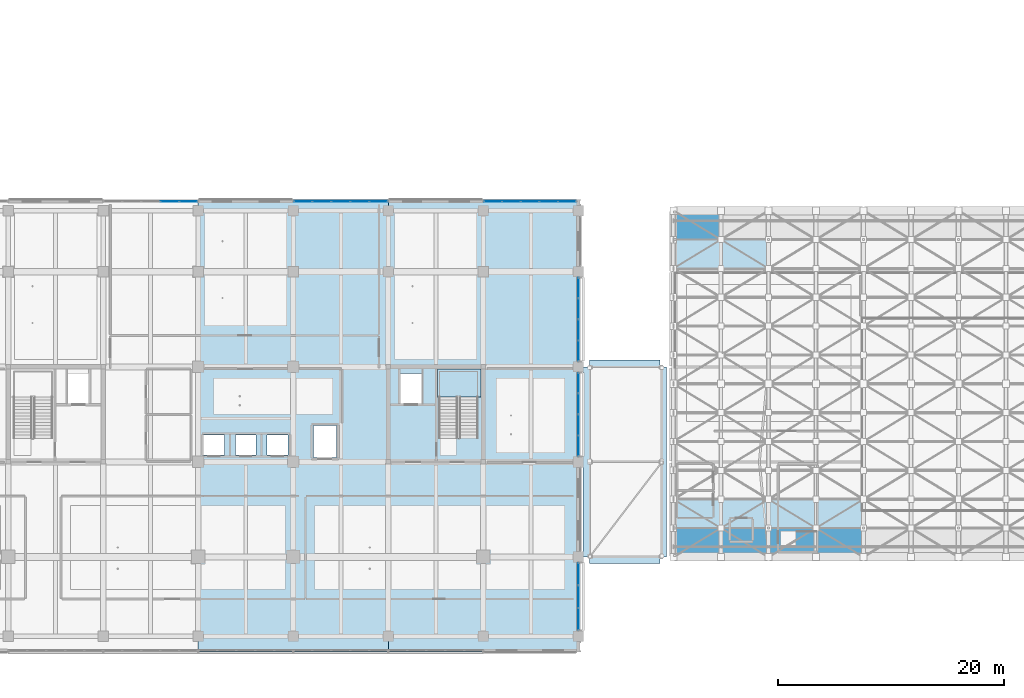
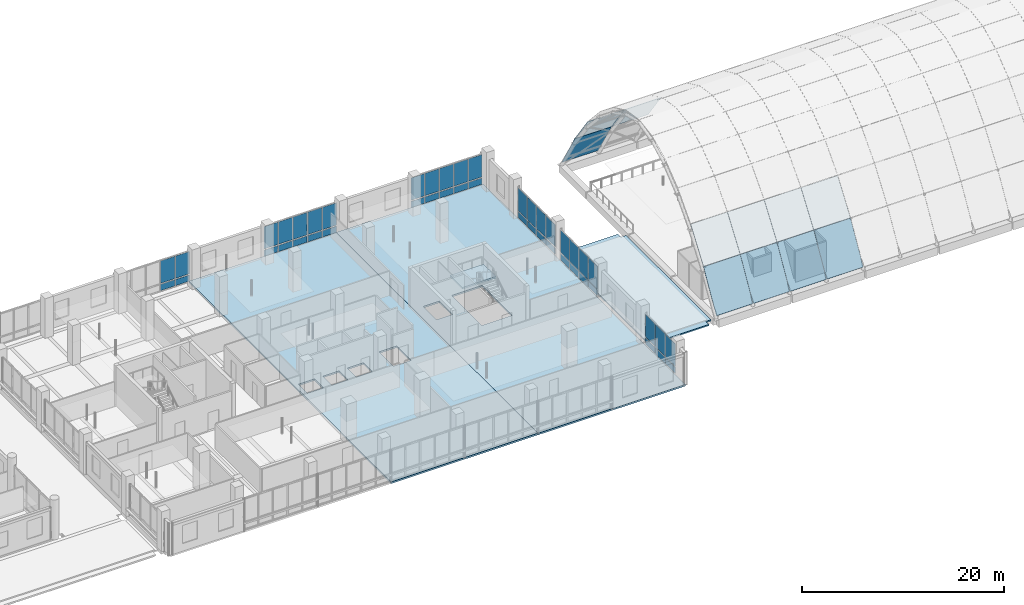
# One storey, part 41 of 128: 57 plates, 4 slabs, 7 elements without a shape of their own.
"""IFC4 building model written with IfcOpenShell, lengths in metres."""

from ifc_helpers import new_model, si_unit, direction, frame, origin, origin_2d, place, context, subcontext, project, spatial, polyline, rectangle, outline, extrude, material, layer, layer_set, type_object, element, aggregate, save


model = new_model("IFC4")

# Units and contexts
model_context = context("Model", 3, precision=1e-05, world=origin(), true_north=direction((0.0, 1.0)))
body_context = subcontext(model_context, "Body", "Model", "MODEL_VIEW")
ifc_project = project(units=[si_unit("LENGTHUNIT", "METRE"), si_unit("AREAUNIT", "SQUARE_METRE"), si_unit("VOLUMEUNIT", "CUBIC_METRE"), si_unit("PLANEANGLEUNIT", "RADIAN"), si_unit("MASSUNIT", "GRAM", prefix="KILO")], contexts=[model_context])

# Site, building, storey
site_placement = place(None, origin())
site = spatial("IfcSite", under=ifc_project, at=site_placement, CompositionType="ELEMENT")
building_placement = place(site_placement, origin())
building = spatial("IfcBuilding", under=site, at=building_placement, Name="Telukmera Botanical Conservatory", CompositionType="ELEMENT")
storey_placement = place(building_placement, frame((0.0, 0.0, 5.39990234375)))
storey = spatial("IfcBuildingStorey", under=building, at=storey_placement, Name="L01", CompositionType="ELEMENT", Elevation=5.39990234375)

# Plates
ifc_material_1 = material(Name="Low-iron laminated conservatory glass", Category="glass")
ifc_layer_1 = layer(ifc_material_1, 0.031982421875)
ifc_layer_set_1 = layer_set([ifc_layer_1], Name="Low-iron laminated conservatory glass")
plate_type_1 = type_object("IfcPlateType", Name="Conservatory Gridshell Laminated Skylight Facet 32", PredefinedType="USERDEFINED", material=ifc_layer_set_1)
plate_1_placement = place(storey_placement, frame((117.60205078125, 17.60205078125, 0.255859375), z_axis=(0.0, -0.865208931933, 0.501411511737), x_axis=(1.0, 0.0, 0.0)))
element("IfcPlate", 1, at=plate_1_placement, inside=storey, type_object=plate_type_1, Name="Conservatory Gridshell Glass Facet 01-01", ObjectType="SKYLIGHT_PANEL", PredefinedType="USERDEFINED", context=body_context, shape_type="SweptSolid", body=[
    extrude(outline(polyline([(0.0, 0.0), (4.196044921875, 0.0), (4.196044921875, 5.077463077540518), (0.0, 5.077463077540518), (0.0, 0.0)])), origin(), (0.0, 0.0, -1.0), 0.031982421875),
])
for number, where, z_axis, x_axis, name in (
    (2, (117.60205078125, 20.152099609375, 4.6552734375), (0.0, -0.81602665981, 0.578014264944), (1.0, 0.0, 0.0), "Conservatory Gridshell Glass Facet 01-02"),
    (3, (117.60205078125, 43.10205078125, 8.24951171875), (0.0, 0.81602665981, 0.578014264944), (1.0, 0.0, 0.0), "Conservatory Gridshell Glass Facet 01-11"),
):
    element("IfcPlate", number, at=place(storey_placement, frame(where, z_axis=z_axis, x_axis=x_axis)), inside=storey, type_object=plate_type_1, Name=name, ObjectType="SKYLIGHT_PANEL", PredefinedType="USERDEFINED", context=body_context, shape_type="SweptSolid", body=[
        extrude(outline(polyline([(0.0, 0.0), (4.196044921875, 0.0), (4.196044921875, 4.404559873184596), (0.0, 4.404559873184596), (0.0, 0.0)])), origin(), (0.0, 0.0, -1.0), 0.031982421875),
    ])
for number, where, z_axis, x_axis, name in (
    (4, (117.60205078125, 45.652099609375, 4.64892578125), (0.0, 0.865208931933, 0.501411511737), (1.0, 0.0, 0.0), "Conservatory Gridshell Glass Facet 01-12"),
    (5, (121.802001953125, 17.60205078125, 0.255859375), (0.0, -0.865208931933, 0.501411511737), (1.0, 0.0, 0.0), "Conservatory Gridshell Glass Facet 02-01"),
):
    element("IfcPlate", number, at=place(storey_placement, frame(where, z_axis=z_axis, x_axis=x_axis)), inside=storey, type_object=plate_type_1, Name=name, ObjectType="SKYLIGHT_PANEL", PredefinedType="USERDEFINED", context=body_context, shape_type="SweptSolid", body=[
        extrude(outline(polyline([(0.0, 0.0), (4.196044921875, 0.0), (4.196044921875, 5.077463077540518), (0.0, 5.077463077540518), (0.0, 0.0)])), origin(), (0.0, 0.0, -1.0), 0.031982421875),
    ])
for number, where, z_axis, x_axis, name in (
    (6, (121.802001953125, 20.152099609375, 4.6552734375), (0.0, -0.81602665981, 0.578014264944), (1.0, 0.0, 0.0), "Conservatory Gridshell Glass Facet 02-02"),
    (7, (121.802001953125, 43.10205078125, 8.24951171875), (0.0, 0.81602665981, 0.578014264944), (1.0, 0.0, 0.0), "Conservatory Gridshell Glass Facet 02-11"),
):
    element("IfcPlate", number, at=place(storey_placement, frame(where, z_axis=z_axis, x_axis=x_axis)), inside=storey, type_object=plate_type_1, Name=name, ObjectType="SKYLIGHT_PANEL", PredefinedType="USERDEFINED", context=body_context, shape_type="SweptSolid", body=[
        extrude(outline(polyline([(0.0, 0.0), (4.196044921875, 0.0), (4.196044921875, 4.404559873184596), (0.0, 4.404559873184596), (0.0, 0.0)])), origin(), (0.0, 0.0, -1.0), 0.031982421875),
    ])
plate_2_placement = place(storey_placement, frame((126.001953125, 17.60205078125, 0.255859375), z_axis=(0.0, -0.865208931933, 0.501411511737), x_axis=(1.0, 0.0, 0.0)))
element("IfcPlate", 8, at=plate_2_placement, inside=storey, type_object=plate_type_1, Name="Conservatory Gridshell Glass Facet 03-01", ObjectType="SKYLIGHT_PANEL", PredefinedType="USERDEFINED", context=body_context, shape_type="SweptSolid", body=[
    extrude(outline(polyline([(0.0, 0.0), (4.196044921875, 0.0), (4.196044921875, 5.077463077540518), (0.0, 5.077463077540518), (0.0, 0.0)])), origin(), (0.0, 0.0, -1.0), 0.031982421875),
])
plate_3_placement = place(storey_placement, frame((126.001953125, 20.152099609375, 4.6552734375), z_axis=(0.0, -0.81602665981, 0.578014264944), x_axis=(1.0, 0.0, 0.0)))
element("IfcPlate", 9, at=plate_3_placement, inside=storey, type_object=plate_type_1, Name="Conservatory Gridshell Glass Facet 03-02", ObjectType="SKYLIGHT_PANEL", PredefinedType="USERDEFINED", context=body_context, shape_type="SweptSolid", body=[
    extrude(outline(polyline([(0.0, 0.0), (4.196044921875, 0.0), (4.196044921875, 4.404559873184596), (0.0, 4.404559873184596), (0.0, 0.0)])), origin(), (0.0, 0.0, -1.0), 0.031982421875),
])
plate_4_placement = place(storey_placement, frame((130.201904296875, 17.60205078125, 0.255859375), z_axis=(0.0, -0.865208931933, 0.501411511737), x_axis=(1.0, 0.0, 0.0)))
element("IfcPlate", 10, at=plate_4_placement, inside=storey, type_object=plate_type_1, Name="Conservatory Gridshell Glass Facet 04-01", ObjectType="SKYLIGHT_PANEL", PredefinedType="USERDEFINED", context=body_context, shape_type="SweptSolid", body=[
    extrude(outline(polyline([(0.0, 0.0), (4.196044921875, 0.0), (4.196044921875, 5.077463077540518), (0.0, 5.077463077540518), (0.0, 0.0)])), origin(), (0.0, 0.0, -1.0), 0.031982421875),
])
plate_5_placement = place(storey_placement, frame((130.201904296875, 20.152099609375, 4.6552734375), z_axis=(0.0, -0.81602665981, 0.578014264944), x_axis=(1.0, 0.0, 0.0)))
element("IfcPlate", 11, at=plate_5_placement, inside=storey, type_object=plate_type_1, Name="Conservatory Gridshell Glass Facet 04-02", ObjectType="SKYLIGHT_PANEL", PredefinedType="USERDEFINED", context=body_context, shape_type="SweptSolid", body=[
    extrude(outline(polyline([(0.0, 0.0), (4.196044921875, 0.0), (4.196044921875, 4.404559873184596), (0.0, 4.404559873184596), (0.0, 0.0)])), origin(), (0.0, 0.0, -1.0), 0.031982421875),
])

# Stair, slab
ifc_material_2 = material(Name="Concrete C40/50", Category="concrete")
stair_type = type_object("IfcStairType", Name="ST-ESC-4800", PredefinedType="HALF_TURN_STAIR", material=ifc_material_2)
stair_placement = place(storey_placement, origin())
stair = element("IfcStair", 12, at=stair_placement, inside=storey, type_object=stair_type, Name="L01 Protected Escape Stair ST2", PredefinedType="HALF_TURN_STAIR")
ifc_layer_2 = layer(ifc_material_2, 0.199951171875)
ifc_layer_set_2 = layer_set([ifc_layer_2], Name="Concrete C40/50")
slab_type_1 = type_object("IfcSlabType", Name="SL-LAND-200", PredefinedType="LANDING", material=ifc_layer_set_2)
slab_1_placement = place(storey_placement, frame((0.0, 0.0, 2.2001953125)))
slab_1 = element("IfcSlab", 13, at=slab_1_placement, type_object=slab_type_1, Name="ST2 landing 1", PredefinedType="LANDING", context=body_context, shape_type="SweptSolid", body=[
    extrude(outline(polyline([(96.7548828125, 31.72998046875), (100.594970703125, 31.72998046875), (100.594970703125, 34.195068359375), (96.7548828125, 34.195068359375), (96.7548828125, 31.72998046875)])), origin(), (0.0, 0.0, 1.0), 0.199951171875),
])
aggregate(stair, [slab_1])

# Slabs
ifc_layer_3 = layer(ifc_material_2, 0.199951171875)
ifc_layer_set_3 = layer_set([ifc_layer_3], Name="Concrete C40/50")
slab_type_2 = type_object("IfcSlabType", Name="Slab_FS20", PredefinedType="FLOOR", material=ifc_layer_set_3)
slab_2_placement = place(storey_placement, frame((0.0, 0.0, -0.199951171875)))
element("IfcSlab", 14, at=slab_2_placement, inside=storey, type_object=slab_type_2, Name="Tower Floor Slab L01 (CENT)", PredefinedType="FLOOR", context=body_context, shape_type="SweptSolid", body=[
    extrude(outline(polyline([(75.60009765625, 9.199951171875), (92.39990234375, 9.199951171875), (92.39990234375, 49.199951171875), (75.60009765625, 49.199951171875), (75.60009765625, 9.199951171875)]), holes=[polyline([(85.780029296875, 26.3798828125), (87.820068359375, 26.3798828125), (87.820068359375, 29.219970703125), (85.780029296875, 29.219970703125), (85.780029296875, 26.3798828125)]), polyline([(76.080078125, 26.6298828125), (77.919921875, 26.6298828125), (77.919921875, 28.3701171875), (76.080078125, 28.3701171875), (76.080078125, 26.6298828125)]), polyline([(78.8798828125, 26.6298828125), (80.719970703125, 26.6298828125), (80.719970703125, 28.3701171875), (78.8798828125, 28.3701171875), (78.8798828125, 26.6298828125)]), polyline([(81.679931640625, 26.6298828125), (83.52001953125, 26.6298828125), (83.52001953125, 28.3701171875), (81.679931640625, 28.3701171875), (81.679931640625, 26.6298828125)])]), origin(), (0.0, 0.0, 1.0), 0.199951171875),
])
slab_3_placement = place(storey_placement, frame((0.0, 0.0, -0.199951171875)))
element("IfcSlab", 15, at=slab_3_placement, inside=storey, type_object=slab_type_2, Name="Tower Floor Slab L01 (EAST)", PredefinedType="FLOOR", context=body_context, shape_type="SweptSolid", body=[
    extrude(outline(polyline([(92.39990234375, 9.199951171875), (109.199951171875, 9.199951171875), (109.199951171875, 49.199951171875), (92.39990234375, 49.199951171875), (92.39990234375, 9.199951171875)]), holes=[polyline([(100.35009765625, 28.093017578125), (100.35009765625, 34.050048828125), (96.8701171875, 34.050048828125), (96.8701171875, 28.093017578125), (100.35009765625, 28.093017578125)]), polyline([(93.47998046875, 31.179931640625), (95.320068359375, 31.179931640625), (95.320068359375, 33.820068359375), (93.47998046875, 33.820068359375), (93.47998046875, 31.179931640625)])]), origin(), (0.0, 0.0, 1.0), 0.199951171875),
])
ifc_layer_4 = layer(ifc_material_2, 0.159912109375)
ifc_layer_set_4 = layer_set([ifc_layer_4], Name="Concrete C40/50")
slab_type_3 = type_object("IfcSlabType", Name="Slab_RS16", PredefinedType="ROOF", material=ifc_layer_set_4)
slab_4_placement = place(storey_placement, frame((0.0, 0.0, -0.159912109375)))
element("IfcSlab", 16, at=slab_4_placement, inside=storey, type_object=slab_type_3, Name="Boulevard Canopy Roof Deck Slab (EAST_LINK)", PredefinedType="ROOF", context=body_context, shape_type="SweptSolid", body=[
    extrude(outline(polyline([(110.199951171875, 17.0), (116.39990234375, 17.0), (116.39990234375, 17.60009765625), (117.0, 17.60009765625), (117.0, 34.39990234375), (116.39990234375, 34.39990234375), (116.39990234375, 35.0), (110.199951171875, 35.0), (110.199951171875, 34.39990234375), (109.60009765625, 34.39990234375), (109.60009765625, 17.60009765625), (110.199951171875, 17.60009765625), (110.199951171875, 17.0)])), origin(), (0.0, 0.0, 1.0), 0.159912109375),
])

# Curtain wall, plates
ifc_material_3 = material(Name="Anodised aluminium 6063-T6", Category="aluminium")
ifc_layer_5 = layer(ifc_material_3, 0.179931640625)
ifc_layer_set_5 = layer_set([ifc_layer_5], Name="Anodised aluminium 6063-T6")
curtain_wall_type = type_object("IfcCurtainWallType", Name="Tower Reference Library Curtain Wall", PredefinedType="USERDEFINED", material=ifc_layer_set_5)
curtain_wall_1_placement = place(storey_placement, origin())
curtain_wall_1 = element("IfcCurtainWall", 17, at=curtain_wall_1_placement, inside=storey, type_object=curtain_wall_type, Name="Unitised Curtain Wall CW13 V4:L01:N3", ObjectType="UNITISED CURTAIN WALL", PredefinedType="USERDEFINED")
ifc_material_4 = material(Name="Spectrally selective low-E double glazing", Category="glass")
ifc_layer_6 = layer(ifc_material_4, 0.028076171875)
ifc_layer_set_6 = layer_set([ifc_layer_6], Name="Spectrally selective low-E double glazing")
plate_type_2 = type_object("IfcPlateType", Name="Spectrally Selective Vision Double Glazing Panel 28", PredefinedType="CURTAIN_PANEL", material=ifc_layer_set_6)
plate_6_placement = place(storey_placement, frame((73.0791015625, 49.02001953125, 0.130126953125), z_axis=(0.0, 0.0, 1.0), x_axis=(1.0, 0.0, 0.0)))
plate_6 = element("IfcPlate", 18, at=plate_6_placement, type_object=plate_type_2, Name="CW13 panel 4.1", PredefinedType="CURTAIN_PANEL", context=body_context, shape_type="SweptSolid", body=[
    extrude(rectangle(XDim=1.6142578125, YDim=0.028076171875, at=origin_2d()), origin(), (0.0, 0.0, 1.0), 0.7548828125),
])
plate_7_placement = place(storey_placement, frame((73.0791015625, 49.02001953125, 1.01513671875), z_axis=(0.0, 0.0, 1.0), x_axis=(1.0, 0.0, 0.0)))
plate_7 = element("IfcPlate", 19, at=plate_7_placement, type_object=plate_type_2, Name="CW13 panel 4.2", PredefinedType="CURTAIN_PANEL", context=body_context, shape_type="SweptSolid", body=[
    extrude(rectangle(XDim=1.6142578125, YDim=0.028076171875, at=origin_2d()), origin(), (0.0, 0.0, 1.0), 2.705078125),
])
plate_8_placement = place(storey_placement, frame((74.7421875, 49.02001953125, 0.130126953125), z_axis=(0.0, 0.0, 1.0), x_axis=(1.0, 0.0, 0.0)))
plate_8 = element("IfcPlate", 20, at=plate_8_placement, type_object=plate_type_2, Name="CW13 panel 5.1", PredefinedType="CURTAIN_PANEL", context=body_context, shape_type="SweptSolid", body=[
    extrude(rectangle(XDim=1.581787109375, YDim=0.028076171875, at=origin_2d()), origin(), (0.0, 0.0, 1.0), 0.7548828125),
])
plate_9_placement = place(storey_placement, frame((74.7421875, 49.02001953125, 1.01513671875), z_axis=(0.0, 0.0, 1.0), x_axis=(1.0, 0.0, 0.0)))
plate_9 = element("IfcPlate", 21, at=plate_9_placement, type_object=plate_type_2, Name="CW13 panel 5.2", PredefinedType="CURTAIN_PANEL", context=body_context, shape_type="SweptSolid", body=[
    extrude(rectangle(XDim=1.581787109375, YDim=0.028076171875, at=origin_2d()), origin(), (0.0, 0.0, 1.0), 2.705078125),
])
aggregate(curtain_wall_1, [plate_6, plate_7, plate_8, plate_9])

curtain_wall_2_placement = place(storey_placement, origin())
curtain_wall_2 = element("IfcCurtainWall", 22, at=curtain_wall_2_placement, inside=storey, type_object=curtain_wall_type, Name="Unitised Curtain Wall CW13 V4:L01:N5", ObjectType="UNITISED CURTAIN WALL", PredefinedType="USERDEFINED")
plate_10_placement = place(storey_placement, frame((84.85791015625, 49.02001953125, 0.130126953125), z_axis=(0.0, 0.0, 1.0), x_axis=(1.0, 0.0, 0.0)))
plate_10 = element("IfcPlate", 23, at=plate_10_placement, type_object=plate_type_2, Name="CW13 panel 1.1", PredefinedType="CURTAIN_PANEL", context=body_context, shape_type="SweptSolid", body=[
    extrude(rectangle(XDim=1.581787109375, YDim=0.028076171875, at=origin_2d()), origin(), (0.0, 0.0, 1.0), 0.7548828125),
])
plate_11_placement = place(storey_placement, frame((84.85791015625, 49.02001953125, 1.01513671875), z_axis=(0.0, 0.0, 1.0), x_axis=(1.0, 0.0, 0.0)))
plate_11 = element("IfcPlate", 24, at=plate_11_placement, type_object=plate_type_2, Name="CW13 panel 1.2", PredefinedType="CURTAIN_PANEL", context=body_context, shape_type="SweptSolid", body=[
    extrude(rectangle(XDim=1.581787109375, YDim=0.028076171875, at=origin_2d()), origin(), (0.0, 0.0, 1.0), 2.705078125),
])
plate_12_placement = place(storey_placement, frame((86.520751953125, 49.02001953125, 0.130126953125), z_axis=(0.0, 0.0, 1.0), x_axis=(1.0, 0.0, 0.0)))
plate_12 = element("IfcPlate", 25, at=plate_12_placement, type_object=plate_type_2, Name="CW13 panel 2.1", PredefinedType="CURTAIN_PANEL", context=body_context, shape_type="SweptSolid", body=[
    extrude(rectangle(XDim=1.6142578125, YDim=0.028076171875, at=origin_2d()), origin(), (0.0, 0.0, 1.0), 0.7548828125),
])
plate_13_placement = place(storey_placement, frame((86.520751953125, 49.02001953125, 1.01513671875), z_axis=(0.0, 0.0, 1.0), x_axis=(1.0, 0.0, 0.0)))
plate_13 = element("IfcPlate", 26, at=plate_13_placement, type_object=plate_type_2, Name="CW13 panel 2.2", PredefinedType="CURTAIN_PANEL", context=body_context, shape_type="SweptSolid", body=[
    extrude(rectangle(XDim=1.6142578125, YDim=0.028076171875, at=origin_2d()), origin(), (0.0, 0.0, 1.0), 2.705078125),
])
plate_14_placement = place(storey_placement, frame((88.199951171875, 49.02001953125, 0.130126953125), z_axis=(0.0, 0.0, 1.0), x_axis=(1.0, 0.0, 0.0)))
plate_14 = element("IfcPlate", 27, at=plate_14_placement, type_object=plate_type_2, Name="CW13 panel 3.1", PredefinedType="CURTAIN_PANEL", context=body_context, shape_type="SweptSolid", body=[
    extrude(rectangle(XDim=1.6142578125, YDim=0.028076171875, at=origin_2d()), origin(), (0.0, 0.0, 1.0), 0.7548828125),
])
plate_15_placement = place(storey_placement, frame((88.199951171875, 49.02001953125, 1.01513671875), z_axis=(0.0, 0.0, 1.0), x_axis=(1.0, 0.0, 0.0)))
plate_15 = element("IfcPlate", 28, at=plate_15_placement, type_object=plate_type_2, Name="CW13 panel 3.2", PredefinedType="CURTAIN_PANEL", context=body_context, shape_type="SweptSolid", body=[
    extrude(rectangle(XDim=1.6142578125, YDim=0.028076171875, at=origin_2d()), origin(), (0.0, 0.0, 1.0), 2.705078125),
])
plate_16_placement = place(storey_placement, frame((89.879150390625, 49.02001953125, 0.130126953125), z_axis=(0.0, 0.0, 1.0), x_axis=(1.0, 0.0, 0.0)))
plate_16 = element("IfcPlate", 29, at=plate_16_placement, type_object=plate_type_2, Name="CW13 panel 4.1", PredefinedType="CURTAIN_PANEL", context=body_context, shape_type="SweptSolid", body=[
    extrude(rectangle(XDim=1.6142578125, YDim=0.028076171875, at=origin_2d()), origin(), (0.0, 0.0, 1.0), 0.7548828125),
])
plate_17_placement = place(storey_placement, frame((89.879150390625, 49.02001953125, 1.01513671875), z_axis=(0.0, 0.0, 1.0), x_axis=(1.0, 0.0, 0.0)))
plate_17 = element("IfcPlate", 30, at=plate_17_placement, type_object=plate_type_2, Name="CW13 panel 4.2", PredefinedType="CURTAIN_PANEL", context=body_context, shape_type="SweptSolid", body=[
    extrude(rectangle(XDim=1.6142578125, YDim=0.028076171875, at=origin_2d()), origin(), (0.0, 0.0, 1.0), 2.705078125),
])
plate_18_placement = place(storey_placement, frame((91.542236328125, 49.02001953125, 0.130126953125), z_axis=(0.0, 0.0, 1.0), x_axis=(1.0, 0.0, 0.0)))
plate_18 = element("IfcPlate", 31, at=plate_18_placement, type_object=plate_type_2, Name="CW13 panel 5.1", PredefinedType="CURTAIN_PANEL", context=body_context, shape_type="SweptSolid", body=[
    extrude(rectangle(XDim=1.581787109375, YDim=0.028076171875, at=origin_2d()), origin(), (0.0, 0.0, 1.0), 0.7548828125),
])
plate_19_placement = place(storey_placement, frame((91.542236328125, 49.02001953125, 1.01513671875), z_axis=(0.0, 0.0, 1.0), x_axis=(1.0, 0.0, 0.0)))
plate_19 = element("IfcPlate", 32, at=plate_19_placement, type_object=plate_type_2, Name="CW13 panel 5.2", PredefinedType="CURTAIN_PANEL", context=body_context, shape_type="SweptSolid", body=[
    extrude(rectangle(XDim=1.581787109375, YDim=0.028076171875, at=origin_2d()), origin(), (0.0, 0.0, 1.0), 2.705078125),
])
aggregate(curtain_wall_2, [plate_10, plate_11, plate_12, plate_13, plate_14, plate_15, plate_16, plate_17, plate_18, plate_19])

curtain_wall_3_placement = place(storey_placement, origin())
curtain_wall_3 = element("IfcCurtainWall", 33, at=curtain_wall_3_placement, inside=storey, type_object=curtain_wall_type, Name="Unitised Curtain Wall CW13 V4:L01:N7", ObjectType="UNITISED CURTAIN WALL", PredefinedType="USERDEFINED")
plate_20_placement = place(storey_placement, frame((101.642822265625, 49.02001953125, 0.130126953125), z_axis=(0.0, 0.0, 1.0), x_axis=(1.0, 0.0, 0.0)))
plate_20 = element("IfcPlate", 34, at=plate_20_placement, type_object=plate_type_2, Name="CW13 panel 1.1", PredefinedType="CURTAIN_PANEL", context=body_context, shape_type="SweptSolid", body=[
    extrude(rectangle(XDim=1.5517578125, YDim=0.028076171875, at=origin_2d()), origin(), (0.0, 0.0, 1.0), 0.7548828125),
])
plate_21_placement = place(storey_placement, frame((101.642822265625, 49.02001953125, 1.01513671875), z_axis=(0.0, 0.0, 1.0), x_axis=(1.0, 0.0, 0.0)))
plate_21 = element("IfcPlate", 35, at=plate_21_placement, type_object=plate_type_2, Name="CW13 panel 1.2", PredefinedType="CURTAIN_PANEL", context=body_context, shape_type="SweptSolid", body=[
    extrude(rectangle(XDim=1.5517578125, YDim=0.028076171875, at=origin_2d()), origin(), (0.0, 0.0, 1.0), 2.705078125),
])
plate_22_placement = place(storey_placement, frame((103.27587890625, 49.02001953125, 0.130126953125), z_axis=(0.0, 0.0, 1.0), x_axis=(1.0, 0.0, 0.0)))
plate_22 = element("IfcPlate", 36, at=plate_22_placement, type_object=plate_type_2, Name="CW13 panel 2.1", PredefinedType="CURTAIN_PANEL", context=body_context, shape_type="SweptSolid", body=[
    extrude(rectangle(XDim=1.584228515625, YDim=0.028076171875, at=origin_2d()), origin(), (0.0, 0.0, 1.0), 0.7548828125),
])
plate_23_placement = place(storey_placement, frame((103.27587890625, 49.02001953125, 1.01513671875), z_axis=(0.0, 0.0, 1.0), x_axis=(1.0, 0.0, 0.0)))
plate_23 = element("IfcPlate", 37, at=plate_23_placement, type_object=plate_type_2, Name="CW13 panel 2.2", PredefinedType="CURTAIN_PANEL", context=body_context, shape_type="SweptSolid", body=[
    extrude(rectangle(XDim=1.584228515625, YDim=0.028076171875, at=origin_2d()), origin(), (0.0, 0.0, 1.0), 2.705078125),
])
plate_24_placement = place(storey_placement, frame((104.925048828125, 49.02001953125, 0.130126953125), z_axis=(0.0, 0.0, 1.0), x_axis=(1.0, 0.0, 0.0)))
plate_24 = element("IfcPlate", 38, at=plate_24_placement, type_object=plate_type_2, Name="CW13 panel 3.1", PredefinedType="CURTAIN_PANEL", context=body_context, shape_type="SweptSolid", body=[
    extrude(rectangle(XDim=1.584228515625, YDim=0.028076171875, at=origin_2d()), origin(), (0.0, 0.0, 1.0), 0.7548828125),
])
plate_25_placement = place(storey_placement, frame((104.925048828125, 49.02001953125, 1.01513671875), z_axis=(0.0, 0.0, 1.0), x_axis=(1.0, 0.0, 0.0)))
plate_25 = element("IfcPlate", 39, at=plate_25_placement, type_object=plate_type_2, Name="CW13 panel 3.2", PredefinedType="CURTAIN_PANEL", context=body_context, shape_type="SweptSolid", body=[
    extrude(rectangle(XDim=1.584228515625, YDim=0.028076171875, at=origin_2d()), origin(), (0.0, 0.0, 1.0), 2.705078125),
])
plate_26_placement = place(storey_placement, frame((106.57421875, 49.02001953125, 0.130126953125), z_axis=(0.0, 0.0, 1.0), x_axis=(1.0, 0.0, 0.0)))
plate_26 = element("IfcPlate", 40, at=plate_26_placement, type_object=plate_type_2, Name="CW13 panel 4.1", PredefinedType="CURTAIN_PANEL", context=body_context, shape_type="SweptSolid", body=[
    extrude(rectangle(XDim=1.584228515625, YDim=0.028076171875, at=origin_2d()), origin(), (0.0, 0.0, 1.0), 0.7548828125),
])
plate_27_placement = place(storey_placement, frame((106.57421875, 49.02001953125, 1.01513671875), z_axis=(0.0, 0.0, 1.0), x_axis=(1.0, 0.0, 0.0)))
plate_27 = element("IfcPlate", 41, at=plate_27_placement, type_object=plate_type_2, Name="CW13 panel 4.2", PredefinedType="CURTAIN_PANEL", context=body_context, shape_type="SweptSolid", body=[
    extrude(rectangle(XDim=1.584228515625, YDim=0.028076171875, at=origin_2d()), origin(), (0.0, 0.0, 1.0), 2.705078125),
])
plate_28_placement = place(storey_placement, frame((108.20703125, 49.02001953125, 0.130126953125), z_axis=(0.0, 0.0, 1.0), x_axis=(1.0, 0.0, 0.0)))
plate_28 = element("IfcPlate", 42, at=plate_28_placement, type_object=plate_type_2, Name="CW13 panel 5.1", PredefinedType="CURTAIN_PANEL", context=body_context, shape_type="SweptSolid", body=[
    extrude(rectangle(XDim=1.5517578125, YDim=0.028076171875, at=origin_2d()), origin(), (0.0, 0.0, 1.0), 0.7548828125),
])
plate_29_placement = place(storey_placement, frame((108.20703125, 49.02001953125, 1.01513671875), z_axis=(0.0, 0.0, 1.0), x_axis=(1.0, 0.0, 0.0)))
plate_29 = element("IfcPlate", 43, at=plate_29_placement, type_object=plate_type_2, Name="CW13 panel 5.2", PredefinedType="CURTAIN_PANEL", context=body_context, shape_type="SweptSolid", body=[
    extrude(rectangle(XDim=1.5517578125, YDim=0.028076171875, at=origin_2d()), origin(), (0.0, 0.0, 1.0), 2.705078125),
])
aggregate(curtain_wall_3, [plate_20, plate_21, plate_22, plate_23, plate_24, plate_25, plate_26, plate_27, plate_28, plate_29])

curtain_wall_4_placement = place(storey_placement, origin())
curtain_wall_4 = element("IfcCurtainWall", 44, at=curtain_wall_4_placement, inside=storey, type_object=curtain_wall_type, Name="Unitised Curtain Wall CW13 V4:L01:E1", ObjectType="UNITISED CURTAIN WALL", PredefinedType="USERDEFINED")
plate_30_placement = place(storey_placement, frame((109.199951171875, 12.100830078125, 0.130126953125), z_axis=(0.0, 0.0, 1.0), x_axis=(0.0, 1.0, 0.0)))
plate_30 = element("IfcPlate", 45, at=plate_30_placement, type_object=plate_type_2, Name="CW13 panel 1.1", PredefinedType="CURTAIN_PANEL", context=body_context, shape_type="SweptSolid", body=[
    extrude(rectangle(XDim=1.917724609375, YDim=0.028076171875, at=origin_2d()), origin(), (0.0, 0.0, 1.0), 0.7548828125),
])
plate_31_placement = place(storey_placement, frame((109.199951171875, 12.100830078125, 1.01513671875), z_axis=(0.0, 0.0, 1.0), x_axis=(0.0, 1.0, 0.0)))
plate_31 = element("IfcPlate", 46, at=plate_31_placement, type_object=plate_type_2, Name="CW13 panel 1.2", PredefinedType="CURTAIN_PANEL", context=body_context, shape_type="SweptSolid", body=[
    extrude(rectangle(XDim=1.917724609375, YDim=0.028076171875, at=origin_2d()), origin(), (0.0, 0.0, 1.0), 2.705078125),
])
plate_32_placement = place(storey_placement, frame((109.199951171875, 14.10009765625, 0.130126953125), z_axis=(0.0, 0.0, 1.0), x_axis=(0.0, 1.0, 0.0)))
plate_32 = element("IfcPlate", 47, at=plate_32_placement, type_object=plate_type_2, Name="CW13 panel 2.1", PredefinedType="CURTAIN_PANEL", context=body_context, shape_type="SweptSolid", body=[
    extrude(rectangle(XDim=1.950439453125, YDim=0.028076171875, at=origin_2d()), origin(), (0.0, 0.0, 1.0), 0.7548828125),
])
plate_33_placement = place(storey_placement, frame((109.199951171875, 14.10009765625, 1.01513671875), z_axis=(0.0, 0.0, 1.0), x_axis=(0.0, 1.0, 0.0)))
plate_33 = element("IfcPlate", 48, at=plate_33_placement, type_object=plate_type_2, Name="CW13 panel 2.2", PredefinedType="CURTAIN_PANEL", context=body_context, shape_type="SweptSolid", body=[
    extrude(rectangle(XDim=1.950439453125, YDim=0.028076171875, at=origin_2d()), origin(), (0.0, 0.0, 1.0), 2.705078125),
])
plate_34_placement = place(storey_placement, frame((109.199951171875, 16.09912109375, 0.130126953125), z_axis=(0.0, 0.0, 1.0), x_axis=(0.0, 1.0, 0.0)))
plate_34 = element("IfcPlate", 49, at=plate_34_placement, type_object=plate_type_2, Name="CW13 panel 3.1", PredefinedType="CURTAIN_PANEL", context=body_context, shape_type="SweptSolid", body=[
    extrude(rectangle(XDim=1.917724609375, YDim=0.028076171875, at=origin_2d()), origin(), (0.0, 0.0, 1.0), 0.7548828125),
])
plate_35_placement = place(storey_placement, frame((109.199951171875, 16.09912109375, 1.01513671875), z_axis=(0.0, 0.0, 1.0), x_axis=(0.0, 1.0, 0.0)))
plate_35 = element("IfcPlate", 50, at=plate_35_placement, type_object=plate_type_2, Name="CW13 panel 3.2", PredefinedType="CURTAIN_PANEL", context=body_context, shape_type="SweptSolid", body=[
    extrude(rectangle(XDim=1.917724609375, YDim=0.028076171875, at=origin_2d()), origin(), (0.0, 0.0, 1.0), 2.705078125),
])
aggregate(curtain_wall_4, [plate_30, plate_31, plate_32, plate_33, plate_34, plate_35])

curtain_wall_5_placement = place(storey_placement, origin())
curtain_wall_5 = element("IfcCurtainWall", 51, at=curtain_wall_5_placement, inside=storey, type_object=curtain_wall_type, Name="Unitised Curtain Wall CW13 V4:L01:E3", ObjectType="UNITISED CURTAIN WALL", PredefinedType="USERDEFINED")
plate_36_placement = place(storey_placement, frame((109.199951171875, 27.424072265625, 0.130126953125), z_axis=(0.0, 0.0, 1.0), x_axis=(0.0, 1.0, 0.0)))
plate_36 = element("IfcPlate", 52, at=plate_36_placement, type_object=plate_type_2, Name="CW13 panel 1.1", PredefinedType="CURTAIN_PANEL", context=body_context, shape_type="SweptSolid", body=[
    extrude(rectangle(XDim=1.763916015625, YDim=0.028076171875, at=origin_2d()), origin(), (0.0, 0.0, 1.0), 0.7548828125),
])
plate_37_placement = place(storey_placement, frame((109.199951171875, 27.424072265625, 1.01513671875), z_axis=(0.0, 0.0, 1.0), x_axis=(0.0, 1.0, 0.0)))
plate_37 = element("IfcPlate", 53, at=plate_37_placement, type_object=plate_type_2, Name="CW13 panel 1.2", PredefinedType="CURTAIN_PANEL", context=body_context, shape_type="SweptSolid", body=[
    extrude(rectangle(XDim=1.763916015625, YDim=0.028076171875, at=origin_2d()), origin(), (0.0, 0.0, 1.0), 2.705078125),
])
plate_38_placement = place(storey_placement, frame((109.199951171875, 29.269287109375, 0.130126953125), z_axis=(0.0, 0.0, 1.0), x_axis=(0.0, 1.0, 0.0)))
plate_38 = element("IfcPlate", 54, at=plate_38_placement, type_object=plate_type_2, Name="CW13 panel 2.1", PredefinedType="CURTAIN_PANEL", context=body_context, shape_type="SweptSolid", body=[
    extrude(rectangle(XDim=1.79638671875, YDim=0.028076171875, at=origin_2d()), origin(), (0.0, 0.0, 1.0), 0.7548828125),
])
plate_39_placement = place(storey_placement, frame((109.199951171875, 29.269287109375, 1.01513671875), z_axis=(0.0, 0.0, 1.0), x_axis=(0.0, 1.0, 0.0)))
plate_39 = element("IfcPlate", 55, at=plate_39_placement, type_object=plate_type_2, Name="CW13 panel 2.2", PredefinedType="CURTAIN_PANEL", context=body_context, shape_type="SweptSolid", body=[
    extrude(rectangle(XDim=1.79638671875, YDim=0.028076171875, at=origin_2d()), origin(), (0.0, 0.0, 1.0), 2.705078125),
])
plate_40_placement = place(storey_placement, frame((109.199951171875, 31.130859375, 0.130126953125), z_axis=(0.0, 0.0, 1.0), x_axis=(0.0, 1.0, 0.0)))
plate_40 = element("IfcPlate", 56, at=plate_40_placement, type_object=plate_type_2, Name="CW13 panel 3.1", PredefinedType="CURTAIN_PANEL", context=body_context, shape_type="SweptSolid", body=[
    extrude(rectangle(XDim=1.79638671875, YDim=0.028076171875, at=origin_2d()), origin(), (0.0, 0.0, 1.0), 0.7548828125),
])
plate_41_placement = place(storey_placement, frame((109.199951171875, 31.130859375, 1.01513671875), z_axis=(0.0, 0.0, 1.0), x_axis=(0.0, 1.0, 0.0)))
plate_41 = element("IfcPlate", 57, at=plate_41_placement, type_object=plate_type_2, Name="CW13 panel 3.2", PredefinedType="CURTAIN_PANEL", context=body_context, shape_type="SweptSolid", body=[
    extrude(rectangle(XDim=1.79638671875, YDim=0.028076171875, at=origin_2d()), origin(), (0.0, 0.0, 1.0), 2.705078125),
])
plate_42_placement = place(storey_placement, frame((109.199951171875, 32.97607421875, 0.130126953125), z_axis=(0.0, 0.0, 1.0), x_axis=(0.0, 1.0, 0.0)))
plate_42 = element("IfcPlate", 58, at=plate_42_placement, type_object=plate_type_2, Name="CW13 panel 4.1", PredefinedType="CURTAIN_PANEL", context=body_context, shape_type="SweptSolid", body=[
    extrude(rectangle(XDim=1.763916015625, YDim=0.028076171875, at=origin_2d()), origin(), (0.0, 0.0, 1.0), 0.7548828125),
])
plate_43_placement = place(storey_placement, frame((109.199951171875, 32.97607421875, 1.01513671875), z_axis=(0.0, 0.0, 1.0), x_axis=(0.0, 1.0, 0.0)))
plate_43 = element("IfcPlate", 59, at=plate_43_placement, type_object=plate_type_2, Name="CW13 panel 4.2", PredefinedType="CURTAIN_PANEL", context=body_context, shape_type="SweptSolid", body=[
    extrude(rectangle(XDim=1.763916015625, YDim=0.028076171875, at=origin_2d()), origin(), (0.0, 0.0, 1.0), 2.705078125),
])
aggregate(curtain_wall_5, [plate_36, plate_37, plate_38, plate_39, plate_40, plate_41, plate_42, plate_43])

curtain_wall_6_placement = place(storey_placement, origin())
curtain_wall_6 = element("IfcCurtainWall", 60, at=curtain_wall_6_placement, inside=storey, type_object=curtain_wall_type, Name="Unitised Curtain Wall CW13 V4:L01:E4", ObjectType="UNITISED CURTAIN WALL", PredefinedType="USERDEFINED")
plate_44_placement = place(storey_placement, frame((109.199951171875, 35.823974609375, 0.130126953125), z_axis=(0.0, 0.0, 1.0), x_axis=(0.0, 1.0, 0.0)))
plate_44 = element("IfcPlate", 61, at=plate_44_placement, type_object=plate_type_2, Name="CW13 panel 1.1", PredefinedType="CURTAIN_PANEL", context=body_context, shape_type="SweptSolid", body=[
    extrude(rectangle(XDim=1.763916015625, YDim=0.028076171875, at=origin_2d()), origin(), (0.0, 0.0, 1.0), 0.7548828125),
])
plate_45_placement = place(storey_placement, frame((109.199951171875, 35.823974609375, 1.01513671875), z_axis=(0.0, 0.0, 1.0), x_axis=(0.0, 1.0, 0.0)))
plate_45 = element("IfcPlate", 62, at=plate_45_placement, type_object=plate_type_2, Name="CW13 panel 1.2", PredefinedType="CURTAIN_PANEL", context=body_context, shape_type="SweptSolid", body=[
    extrude(rectangle(XDim=1.763916015625, YDim=0.028076171875, at=origin_2d()), origin(), (0.0, 0.0, 1.0), 2.705078125),
])
plate_46_placement = place(storey_placement, frame((109.199951171875, 37.669189453125, 0.130126953125), z_axis=(0.0, 0.0, 1.0), x_axis=(0.0, 1.0, 0.0)))
plate_46 = element("IfcPlate", 63, at=plate_46_placement, type_object=plate_type_2, Name="CW13 panel 2.1", PredefinedType="CURTAIN_PANEL", context=body_context, shape_type="SweptSolid", body=[
    extrude(rectangle(XDim=1.79638671875, YDim=0.028076171875, at=origin_2d()), origin(), (0.0, 0.0, 1.0), 0.7548828125),
])
plate_47_placement = place(storey_placement, frame((109.199951171875, 37.669189453125, 1.01513671875), z_axis=(0.0, 0.0, 1.0), x_axis=(0.0, 1.0, 0.0)))
plate_47 = element("IfcPlate", 64, at=plate_47_placement, type_object=plate_type_2, Name="CW13 panel 2.2", PredefinedType="CURTAIN_PANEL", context=body_context, shape_type="SweptSolid", body=[
    extrude(rectangle(XDim=1.79638671875, YDim=0.028076171875, at=origin_2d()), origin(), (0.0, 0.0, 1.0), 2.705078125),
])
plate_48_placement = place(storey_placement, frame((109.199951171875, 39.53076171875, 0.130126953125), z_axis=(0.0, 0.0, 1.0), x_axis=(0.0, 1.0, 0.0)))
plate_48 = element("IfcPlate", 65, at=plate_48_placement, type_object=plate_type_2, Name="CW13 panel 3.1", PredefinedType="CURTAIN_PANEL", context=body_context, shape_type="SweptSolid", body=[
    extrude(rectangle(XDim=1.79638671875, YDim=0.028076171875, at=origin_2d()), origin(), (0.0, 0.0, 1.0), 0.7548828125),
])
plate_49_placement = place(storey_placement, frame((109.199951171875, 39.53076171875, 1.01513671875), z_axis=(0.0, 0.0, 1.0), x_axis=(0.0, 1.0, 0.0)))
plate_49 = element("IfcPlate", 66, at=plate_49_placement, type_object=plate_type_2, Name="CW13 panel 3.2", PredefinedType="CURTAIN_PANEL", context=body_context, shape_type="SweptSolid", body=[
    extrude(rectangle(XDim=1.79638671875, YDim=0.028076171875, at=origin_2d()), origin(), (0.0, 0.0, 1.0), 2.705078125),
])
plate_50_placement = place(storey_placement, frame((109.199951171875, 41.3759765625, 0.130126953125), z_axis=(0.0, 0.0, 1.0), x_axis=(0.0, 1.0, 0.0)))
plate_50 = element("IfcPlate", 67, at=plate_50_placement, type_object=plate_type_2, Name="CW13 panel 4.1", PredefinedType="CURTAIN_PANEL", context=body_context, shape_type="SweptSolid", body=[
    extrude(rectangle(XDim=1.763916015625, YDim=0.028076171875, at=origin_2d()), origin(), (0.0, 0.0, 1.0), 0.7548828125),
])
plate_51_placement = place(storey_placement, frame((109.199951171875, 41.3759765625, 1.01513671875), z_axis=(0.0, 0.0, 1.0), x_axis=(0.0, 1.0, 0.0)))
plate_51 = element("IfcPlate", 68, at=plate_51_placement, type_object=plate_type_2, Name="CW13 panel 4.2", PredefinedType="CURTAIN_PANEL", context=body_context, shape_type="SweptSolid", body=[
    extrude(rectangle(XDim=1.763916015625, YDim=0.028076171875, at=origin_2d()), origin(), (0.0, 0.0, 1.0), 2.705078125),
])
aggregate(curtain_wall_6, [plate_44, plate_45, plate_46, plate_47, plate_48, plate_49, plate_50, plate_51])

save(model, "model.ifc")
